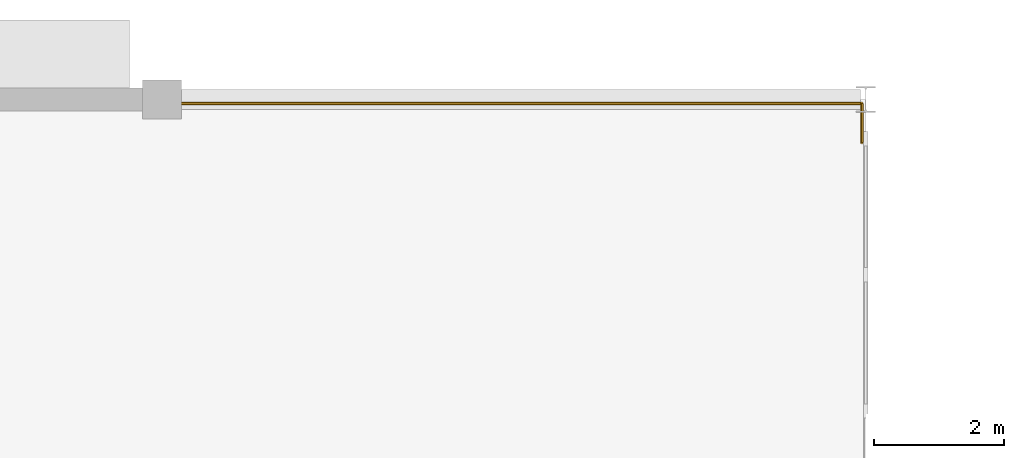
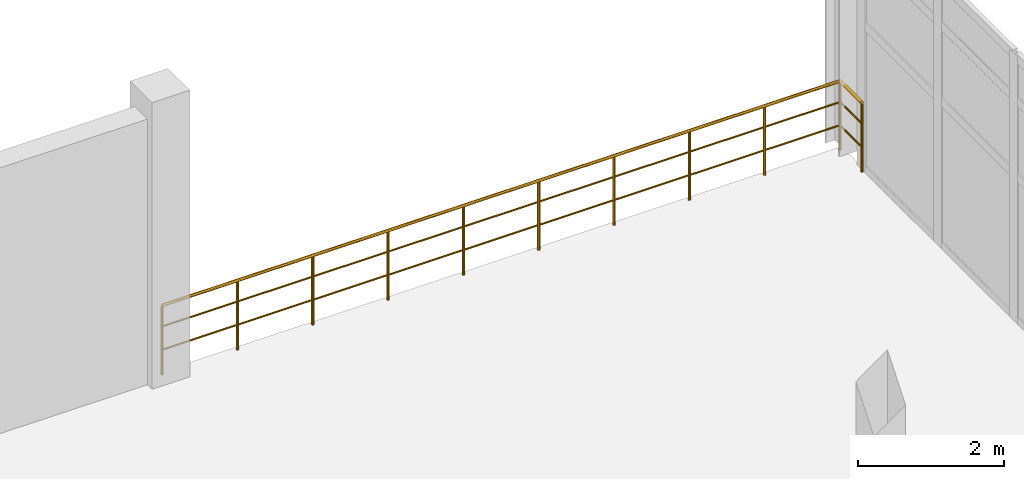
# One storey, part 52 of 52: 2 railings.
"""IFC4 building model written with IfcOpenShell, lengths in metres."""

from ifc_helpers import new_model, si_unit, direction, frame, origin, origin_2d, place, context, subcontext, project, spatial, circle, extrude, material, layer, layer_set, type_object, element, save


model = new_model("IFC4")

# Units and contexts
model_context = context("Model", 3, precision=1e-05, world=origin(), true_north=direction((0.0, 1.0)))
body_context = subcontext(model_context, "Body", "Model", "MODEL_VIEW")
ifc_project = project(units=[si_unit("LENGTHUNIT", "METRE"), si_unit("AREAUNIT", "SQUARE_METRE"), si_unit("VOLUMEUNIT", "CUBIC_METRE"), si_unit("PLANEANGLEUNIT", "RADIAN"), si_unit("MASSUNIT", "GRAM", prefix="KILO"), si_unit("THERMODYNAMICTEMPERATUREUNIT", "KELVIN"), si_unit("POWERUNIT", "WATT")], contexts=[model_context])

# Site, building, storey
site_placement = place(None, origin())
site = spatial("IfcSite", under=ifc_project, at=site_placement, CompositionType="ELEMENT")
building_placement = place(site_placement, origin())
building = spatial("IfcBuilding", under=site, at=building_placement, Name="Solmara Park Aquatics Centre", CompositionType="ELEMENT")
storey_placement = place(building_placement, frame((0.0, 0.0, 9.60009765625)))
storey = spatial("IfcBuildingStorey", under=building, at=storey_placement, Name="L02", CompositionType="ELEMENT", Elevation=9.60009765625)

# Railings
ifc_material = material(Name="Toughened Glass and Stainless Steel Stand Guardrail", Category="steel")
ifc_layer = layer(ifc_material, 0.06005859375, Name="Toughened Glass and Stainless Steel Stand Guardrail")
ifc_layer_set = layer_set([ifc_layer], Name="Toughened Glass and Stainless Steel Stand Guardrail")
railing_type = type_object("IfcRailingType", Name="ARC-RL-STD110", PredefinedType="GUARDRAIL", material=ifc_layer_set)
railing_1_placement = place(storey_placement, frame((109.199951171875, 135.93994140625, 0.0)))
element("IfcRailing", 1, at=railing_1_placement, inside=storey, type_object=railing_type, Name="L02 Slab Edge Guardrail 101", PredefinedType="GUARDRAIL", context=body_context, shape_type="SweptSolid", body=[
    extrude(circle(Radius=0.02392578125, at=origin_2d()), frame((0.0, 0.0, 1.15576171875), z_axis=(1.0, 0.0, 0.0), x_axis=(0.0, 1.0, 0.0)), (0.0, 0.0, 1.0), 10.739990234375),
    extrude(circle(Radius=0.01416015625, at=origin_2d()), frame((0.0, 0.0, 0.4130859375), z_axis=(1.0, 0.0, 0.0), x_axis=(0.0, 1.0, 0.0)), (0.0, 0.0, 1.0), 10.739990234375),
    extrude(circle(Radius=0.01416015625, at=origin_2d()), frame((0.0, 0.0, 0.80224609375), z_axis=(1.0, 0.0, 0.0), x_axis=(0.0, 1.0, 0.0)), (0.0, 0.0, 1.0), 10.739990234375),
    extrude(circle(Radius=0.02099609375, at=origin_2d()), origin(), (0.0, 0.0, 1.0), 1.1318359375),
    extrude(circle(Radius=0.02099609375, at=origin_2d()), frame((1.193359375, 0.0, 0.0)), (0.0, 0.0, 1.0), 1.1318359375),
    extrude(circle(Radius=0.02099609375, at=origin_2d()), frame((2.38671875, 0.0, 0.0)), (0.0, 0.0, 1.0), 1.1318359375),
    extrude(circle(Radius=0.02099609375, at=origin_2d()), frame((3.580078125, 0.0, 0.0)), (0.0, 0.0, 1.0), 1.1318359375),
    extrude(circle(Radius=0.02099609375, at=origin_2d()), frame((4.7734375, 0.0, 0.0)), (0.0, 0.0, 1.0), 1.1318359375),
    extrude(circle(Radius=0.02099609375, at=origin_2d()), frame((5.966552734375, 0.0, 0.0)), (0.0, 0.0, 1.0), 1.1318359375),
    extrude(circle(Radius=0.02099609375, at=origin_2d()), frame((7.159912109375, 0.0, 0.0)), (0.0, 0.0, 1.0), 1.1318359375),
    extrude(circle(Radius=0.02099609375, at=origin_2d()), frame((8.353271484375, 0.0, 0.0)), (0.0, 0.0, 1.0), 1.1318359375),
    extrude(circle(Radius=0.02099609375, at=origin_2d()), frame((9.546630859375, 0.0, 0.0)), (0.0, 0.0, 1.0), 1.1318359375),
    extrude(circle(Radius=0.02099609375, at=origin_2d()), frame((10.739990234375, 0.0, 0.0)), (0.0, 0.0, 1.0), 1.1318359375),
])
railing_2_placement = place(storey_placement, frame((119.93994140625, 135.93994140625, 0.0)))
element("IfcRailing", 2, at=railing_2_placement, inside=storey, type_object=railing_type, Name="L02 Slab Edge Guardrail 102", PredefinedType="GUARDRAIL", context=body_context, shape_type="SweptSolid", body=[
    extrude(circle(Radius=0.02392578125, at=origin_2d()), frame((0.0, 0.0, 1.15576171875), z_axis=(0.0, -1.0, 0.0), x_axis=(1.0, 0.0, 0.0)), (0.0, 0.0, 1.0), 0.599853515625),
    extrude(circle(Radius=0.01416015625, at=origin_2d()), frame((0.0, 0.0, 0.4130859375), z_axis=(0.0, -1.0, 0.0), x_axis=(1.0, 0.0, 0.0)), (0.0, 0.0, 1.0), 0.599853515625),
    extrude(circle(Radius=0.01416015625, at=origin_2d()), frame((0.0, 0.0, 0.80224609375), z_axis=(0.0, -1.0, 0.0), x_axis=(1.0, 0.0, 0.0)), (0.0, 0.0, 1.0), 0.599853515625),
    extrude(circle(Radius=0.02099609375, at=origin_2d()), origin(), (0.0, 0.0, 1.0), 1.1318359375),
    extrude(circle(Radius=0.02099609375, at=origin_2d()), frame((0.0, -0.599853515625, 0.0)), (0.0, 0.0, 1.0), 1.1318359375),
])

save(model, "model.ifc")
